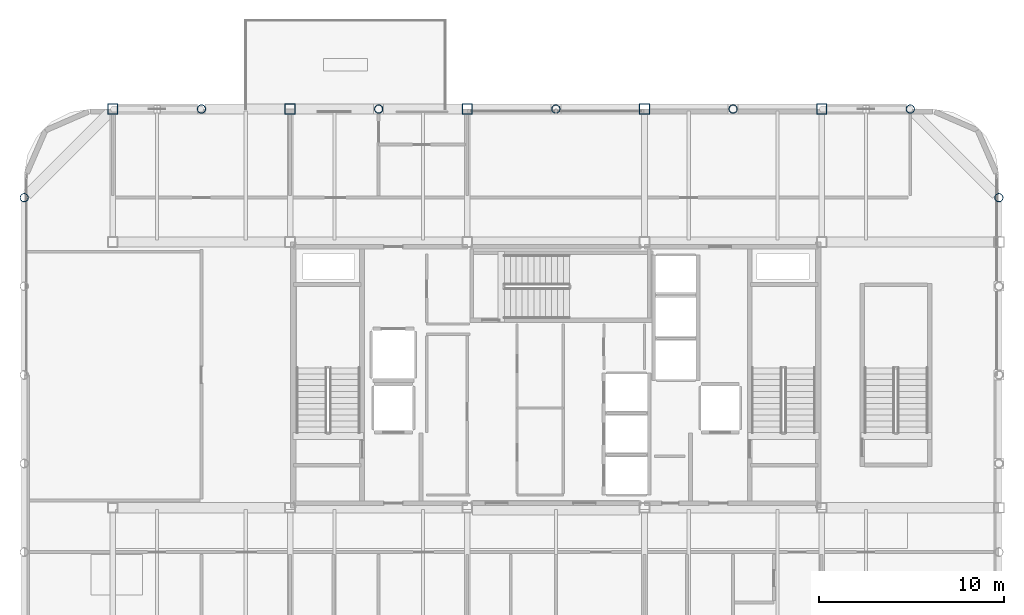
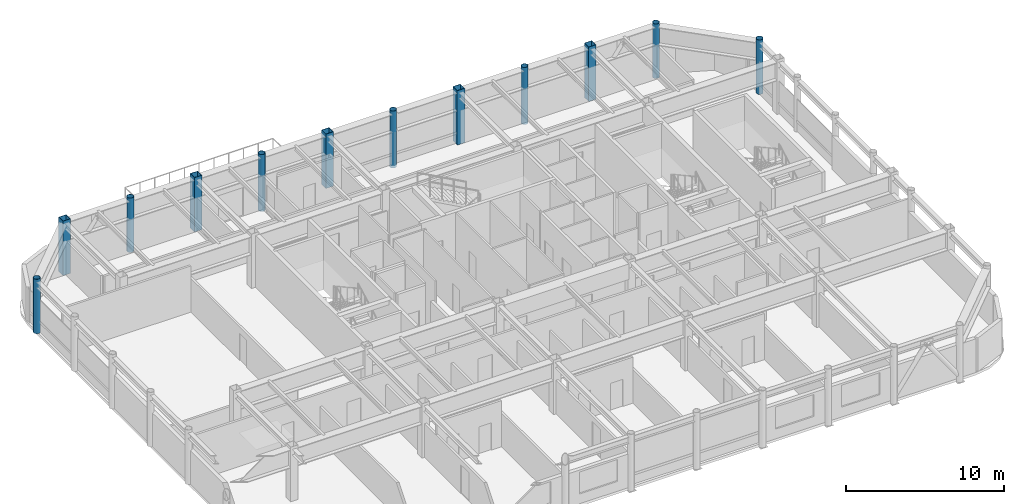
# One storey, part 3 of 23: 12 columns.
"""IFC4 building model written with IfcOpenShell, lengths in metres."""

from ifc_helpers import new_model, si_unit, direction, frame, origin, origin_2d, place, context, subcontext, project, spatial, hollow_rectangle, hollow_circle, extrude, material, material_profile, profile_set, type_object, element, save


model = new_model("IFC4")

# Units and contexts
model_context = context("Model", 3, precision=1e-05, world=origin(), true_north=direction((0.0, 1.0)))
body_context = subcontext(model_context, "Body", "Model", "MODEL_VIEW")
ifc_project = project(units=[si_unit("LENGTHUNIT", "METRE"), si_unit("AREAUNIT", "SQUARE_METRE"), si_unit("VOLUMEUNIT", "CUBIC_METRE"), si_unit("PLANEANGLEUNIT", "RADIAN"), si_unit("MASSUNIT", "GRAM", prefix="KILO")], contexts=[model_context])

# Site, building, storey
site_placement = place(None, origin())
site = spatial("IfcSite", under=ifc_project, at=site_placement, CompositionType="ELEMENT")
building_placement = place(site_placement, origin())
building = spatial("IfcBuilding", under=site, at=building_placement, Name="Kallvorn Hotel Tower", CompositionType="ELEMENT")
storey_placement = place(building_placement, frame((0.0, 0.0, 282.199951171875)))
storey = spatial("IfcBuildingStorey", under=building, at=storey_placement, Name="L70", CompositionType="ELEMENT", Elevation=282.199951171875)

# Columns
ifc_material_1 = material(Name="Structural steel S355J2H", Category="steel")
ifc_material_profile_1 = material_profile(ifc_material_1, hollow_circle(Radius=0.228515625, WallThickness=0.02001953125, at=origin_2d()), Name="CHS 457x20")
ifc_profile_set_1 = profile_set([ifc_material_profile_1], Name="Structural steel S355J2H")
column_type_1 = type_object("IfcColumnType", Name="COL_CHS_457", PredefinedType="COLUMN", material=ifc_profile_set_1)
for number, where, z_axis, x_axis, name in (
    (1, (-28.800048828125, 9.60009765625, 0.0), (0.0, 0.0, 1.0), (1.0, 0.0, 0.0), "L70 Exoskeleton Column EC07"),
    (2, (-19.199951171875, 14.39990234375, 0.0), (0.0, 0.0, 1.0), (1.0, 0.0, 0.0), "L70 Exoskeleton Column EC10"),
):
    element("IfcColumn", number, at=place(storey_placement, frame(where, z_axis=z_axis, x_axis=x_axis)), inside=storey, type_object=column_type_1, Name=name, PredefinedType="COLUMN", context=body_context, shape_type="SweptSolid", body=[
        extrude(hollow_circle(Radius=0.228515625, WallThickness=0.02001953125, at=origin_2d()), origin(), (0.0, 0.0, 1.0), 4.199951171875),
    ])
for number, where, z_axis, x_axis, name in (
    (3, (-9.60009765625, 14.39990234375, -0.199951171875), (0.0, 0.0, 1.0), (1.0, 0.0, 0.0), "L70 Exoskeleton Column EC13"),
    (4, (0.0, 14.39990234375, -0.199951171875), (0.0, 0.0, 1.0), (1.0, 0.0, 0.0), "L70 Exoskeleton Column EC16"),
    (5, (9.60009765625, 14.39990234375, -0.199951171875), (0.0, 0.0, 1.0), (1.0, 0.0, 0.0), "L70 Exoskeleton Column EC19"),
):
    element("IfcColumn", number, at=place(storey_placement, frame(where, z_axis=z_axis, x_axis=x_axis)), inside=storey, type_object=column_type_1, Name=name, PredefinedType="COLUMN", context=body_context, shape_type="SweptSolid", body=[
        extrude(hollow_circle(Radius=0.228515625, WallThickness=0.02001953125, at=origin_2d()), origin(), (0.0, 0.0, 1.0), 4.39990234375),
    ])
for number, where, z_axis, x_axis, name in (
    (6, (19.199951171875, 14.39990234375, 0.0), (0.0, 0.0, 1.0), (1.0, 0.0, 0.0), "L70 Exoskeleton Column EC22"),
    (7, (24.0, 9.60009765625, 0.0), (0.0, 0.0, 1.0), (1.0, 0.0, 0.0), "L70 Exoskeleton Column EC28"),
):
    element("IfcColumn", number, at=place(storey_placement, frame(where, z_axis=z_axis, x_axis=x_axis)), inside=storey, type_object=column_type_1, Name=name, PredefinedType="COLUMN", context=body_context, shape_type="SweptSolid", body=[
        extrude(hollow_circle(Radius=0.228515625, WallThickness=0.02001953125, at=origin_2d()), origin(), (0.0, 0.0, 1.0), 4.199951171875),
    ])
ifc_material_2 = material(Name="Structural steel S355J2H", Category="steel")
ifc_material_profile_2 = material_profile(ifc_material_2, hollow_rectangle(XDim=0.550048828125, YDim=0.550048828125, WallThickness=0.02490234375, at=origin_2d()), Name="RHS 550x550x25")
ifc_profile_set_2 = profile_set([ifc_material_profile_2], Name="Structural steel S355J2H")
column_type_2 = type_object("IfcColumnType", Name="COL_RHS_550", PredefinedType="COLUMN", material=ifc_profile_set_2)
for number, where, z_axis, x_axis, name in (
    (8, (-24.0, 14.39990234375, 0.0), (0.0, 0.0, 1.0), (1.0, 0.0, 0.0), "L70 Inner Column IC04"),
    (9, (-14.39990234375, 14.39990234375, 0.0), (0.0, 0.0, 1.0), (1.0, 0.0, 0.0), "L70 Inner Column IC08"),
    (10, (-4.800048828125, 14.39990234375, 0.0), (0.0, 0.0, 1.0), (1.0, 0.0, 0.0), "L70 Inner Column IC12"),
    (11, (4.800048828125, 14.39990234375, 0.0), (0.0, 0.0, 1.0), (1.0, 0.0, 0.0), "L70 Inner Column IC16"),
    (12, (14.39990234375, 14.39990234375, 0.0), (0.0, 0.0, 1.0), (1.0, 0.0, 0.0), "L70 Inner Column IC20"),
):
    element("IfcColumn", number, at=place(storey_placement, frame(where, z_axis=z_axis, x_axis=x_axis)), inside=storey, type_object=column_type_2, Name=name, PredefinedType="COLUMN", context=body_context, shape_type="SweptSolid", body=[
        extrude(hollow_rectangle(XDim=0.550048828125, YDim=0.550048828125, WallThickness=0.02490234375, at=origin_2d()), origin(), (0.0, 0.0, 1.0), 4.199951171875),
    ])

save(model, "model.ifc")
